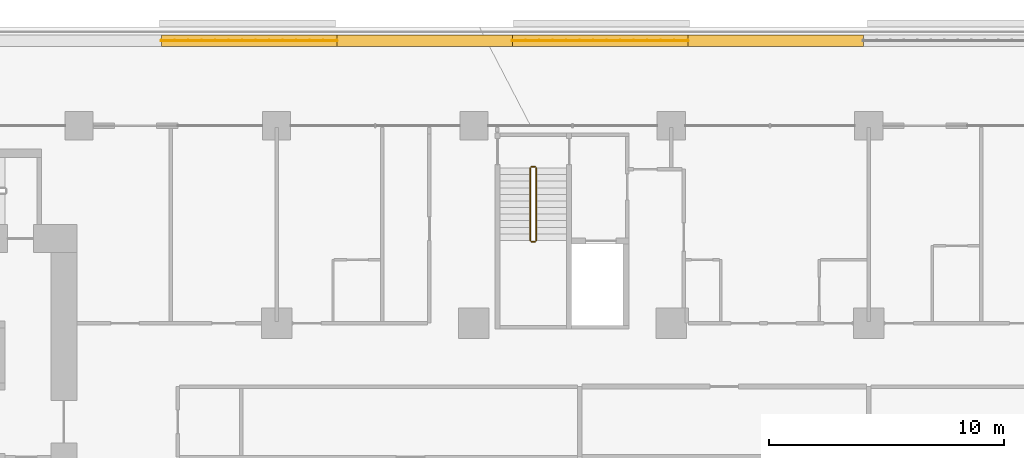
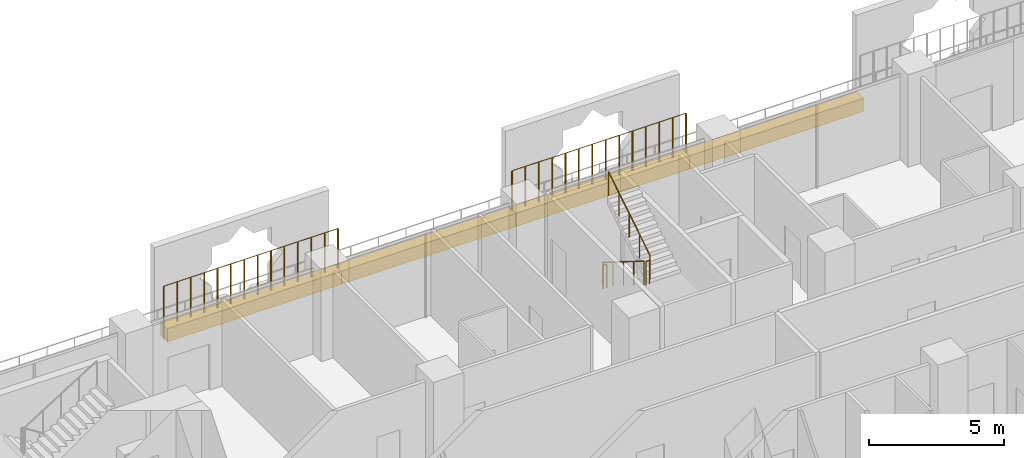
# One storey, part 27 of 28: 6 railings, 4 coverings.
"""IFC4 building model written with IfcOpenShell, lengths in metres."""

from ifc_helpers import new_model, si_unit, direction, frame, origin, origin_2d, place, context, subcontext, project, spatial, rectangle, circle, extrude, material, material_profile, profile_set, type_object, element, save


model = new_model("IFC4")

# Units and contexts
model_context = context("Model", 3, precision=1e-05, world=origin(), true_north=direction((0.0, 1.0)))
body_context = subcontext(model_context, "Body", "Model", "MODEL_VIEW")
ifc_project = project(units=[si_unit("LENGTHUNIT", "METRE"), si_unit("AREAUNIT", "SQUARE_METRE"), si_unit("VOLUMEUNIT", "CUBIC_METRE"), si_unit("PLANEANGLEUNIT", "RADIAN"), si_unit("MASSUNIT", "GRAM", prefix="KILO")], contexts=[model_context])

# Site, building, storey
site_placement = place(None, origin())
site = spatial("IfcSite", under=ifc_project, at=site_placement, CompositionType="ELEMENT")
building_placement = place(site_placement, origin())
building = spatial("IfcBuilding", under=site, at=building_placement, Name="Kawkab Arch Medical Tower", CompositionType="ELEMENT")
storey_placement = place(building_placement, frame((0.0, 0.0, 72.800048828125)))
storey = spatial("IfcBuildingStorey", under=building, at=storey_placement, Name="L16", CompositionType="ELEMENT", Elevation=72.800048828125)

# Coverings
ifc_material_1 = material(Name="Planting soil in a precast trough", Category="concrete")
ifc_material_profile = material_profile(ifc_material_1, rectangle(XDim=0.5, YDim=0.60009765625, at=origin_2d()), Name="Trough 500x600")
ifc_profile_set = profile_set([ifc_material_profile], Name="Planting soil in a precast trough")
covering_type = type_object("IfcCoveringType", Name="Planter trough 500 x 600", PredefinedType="USERDEFINED", material=ifc_profile_set)
for number, where, z_axis, x_axis, name in (
    (1, (28.695068359375, 3.6201171875, 0.300048828125), (1.0, 0.0, 0.0), (0.0, 1.0, 0.0), "Planter L16.LOG-01-01.23"),
    (2, (36.1650390625, 3.6201171875, 0.300048828125), (1.0, 0.0, 0.0), (0.0, 1.0, 0.0), "Planter L16.LOG-01-01.24"),
    (3, (43.635009765625, 3.6201171875, 0.300048828125), (1.0, 0.0, 0.0), (0.0, 1.0, 0.0), "Planter L16.LOG-01-01.25"),
):
    element("IfcCovering", number, at=place(storey_placement, frame(where, z_axis=z_axis, x_axis=x_axis)), inside=storey, type_object=covering_type, Name=name, ObjectType="PLANTER", PredefinedType="USERDEFINED", context=body_context, shape_type="SweptSolid", body=[
        extrude(rectangle(XDim=0.5, YDim=0.60009765625, at=origin_2d()), origin(), (0.0, 0.0, 1.0), 7.469970703125),
    ])
covering_placement = place(storey_placement, frame((51.10498046875, 3.6201171875, 0.300048828125), z_axis=(1.0, 0.0, 0.0), x_axis=(0.0, 1.0, 0.0)))
element("IfcCovering", 4, at=covering_placement, inside=storey, type_object=covering_type, Name="Planter L16.LOG-01-01.26", ObjectType="PLANTER", PredefinedType="USERDEFINED", context=body_context, shape_type="SweptSolid", body=[
    extrude(rectangle(XDim=0.5, YDim=0.60009765625, at=origin_2d()), origin(), (0.0, 0.0, 1.0), 7.470947265625),
])

# Railings
ifc_material_2 = material(Name="Bronze anodised aluminium trellis for climbing plants", Category="aluminium")
railing_type_1 = type_object("IfcRailingType", Name="Planting trellis 2400", PredefinedType="USERDEFINED", material=ifc_material_2)
railing_1_placement = place(storey_placement, frame((28.695068359375, 3.6201171875, 0.0)))
element("IfcRailing", 5, at=railing_1_placement, inside=storey, type_object=railing_type_1, Name="Planting trellis L16.LOG-01-01.23", ObjectType="TRELLIS", PredefinedType="USERDEFINED", context=body_context, shape_type="SweptSolid", body=[
    extrude(circle(Radius=0.01513671875, at=origin_2d()), frame((0.0, 0.0, 2.384765625), z_axis=(1.0, 0.0, 0.0), x_axis=(0.0, 1.0, 0.0)), (0.0, 0.0, 1.0), 7.469970703125),
    extrude(circle(Radius=0.030029296875, at=origin_2d()), origin(), (0.0, 0.0, 1.0), 2.369873046875),
    extrude(circle(Radius=0.030029296875, at=origin_2d()), frame((0.57470703125, 0.0, 0.0)), (0.0, 0.0, 1.0), 2.369873046875),
    extrude(circle(Radius=0.030029296875, at=origin_2d()), frame((1.149169921875, 0.0, 0.0)), (0.0, 0.0, 1.0), 2.369873046875),
    extrude(circle(Radius=0.030029296875, at=origin_2d()), frame((1.723876953125, 0.0, 0.0)), (0.0, 0.0, 1.0), 2.369873046875),
    extrude(circle(Radius=0.030029296875, at=origin_2d()), frame((2.29833984375, 0.0, 0.0)), (0.0, 0.0, 1.0), 2.369873046875),
    extrude(circle(Radius=0.030029296875, at=origin_2d()), frame((2.873046875, 0.0, 0.0)), (0.0, 0.0, 1.0), 2.369873046875),
    extrude(circle(Radius=0.030029296875, at=origin_2d()), frame((3.44775390625, 0.0, 0.0)), (0.0, 0.0, 1.0), 2.369873046875),
    extrude(circle(Radius=0.030029296875, at=origin_2d()), frame((4.022216796875, 0.0, 0.0)), (0.0, 0.0, 1.0), 2.369873046875),
    extrude(circle(Radius=0.030029296875, at=origin_2d()), frame((4.596923828125, 0.0, 0.0)), (0.0, 0.0, 1.0), 2.369873046875),
    extrude(circle(Radius=0.030029296875, at=origin_2d()), frame((5.171630859375, 0.0, 0.0)), (0.0, 0.0, 1.0), 2.369873046875),
    extrude(circle(Radius=0.030029296875, at=origin_2d()), frame((5.74609375, 0.0, 0.0)), (0.0, 0.0, 1.0), 2.369873046875),
    extrude(circle(Radius=0.030029296875, at=origin_2d()), frame((6.32080078125, 0.0, 0.0)), (0.0, 0.0, 1.0), 2.369873046875),
    extrude(circle(Radius=0.030029296875, at=origin_2d()), frame((6.895263671875, 0.0, 0.0)), (0.0, 0.0, 1.0), 2.369873046875),
    extrude(circle(Radius=0.030029296875, at=origin_2d()), frame((7.469970703125, 0.0, 0.0)), (0.0, 0.0, 1.0), 2.369873046875),
])
railing_2_placement = place(storey_placement, frame((43.635009765625, 3.6201171875, 0.0)))
element("IfcRailing", 6, at=railing_2_placement, inside=storey, type_object=railing_type_1, Name="Planting trellis L16.LOG-01-01.25", ObjectType="TRELLIS", PredefinedType="USERDEFINED", context=body_context, shape_type="SweptSolid", body=[
    extrude(circle(Radius=0.01513671875, at=origin_2d()), frame((0.0, 0.0, 2.384765625), z_axis=(1.0, 0.0, 0.0), x_axis=(0.0, 1.0, 0.0)), (0.0, 0.0, 1.0), 7.469970703125),
    extrude(circle(Radius=0.030029296875, at=origin_2d()), origin(), (0.0, 0.0, 1.0), 2.369873046875),
    extrude(circle(Radius=0.030029296875, at=origin_2d()), frame((0.57470703125, 0.0, 0.0)), (0.0, 0.0, 1.0), 2.369873046875),
    extrude(circle(Radius=0.030029296875, at=origin_2d()), frame((1.149169921875, 0.0, 0.0)), (0.0, 0.0, 1.0), 2.369873046875),
    extrude(circle(Radius=0.030029296875, at=origin_2d()), frame((1.723876953125, 0.0, 0.0)), (0.0, 0.0, 1.0), 2.369873046875),
    extrude(circle(Radius=0.030029296875, at=origin_2d()), frame((2.29833984375, 0.0, 0.0)), (0.0, 0.0, 1.0), 2.369873046875),
    extrude(circle(Radius=0.030029296875, at=origin_2d()), frame((2.873046875, 0.0, 0.0)), (0.0, 0.0, 1.0), 2.369873046875),
    extrude(circle(Radius=0.030029296875, at=origin_2d()), frame((3.44775390625, 0.0, 0.0)), (0.0, 0.0, 1.0), 2.369873046875),
    extrude(circle(Radius=0.030029296875, at=origin_2d()), frame((4.022216796875, 0.0, 0.0)), (0.0, 0.0, 1.0), 2.369873046875),
    extrude(circle(Radius=0.030029296875, at=origin_2d()), frame((4.596923828125, 0.0, 0.0)), (0.0, 0.0, 1.0), 2.369873046875),
    extrude(circle(Radius=0.030029296875, at=origin_2d()), frame((5.171630859375, 0.0, 0.0)), (0.0, 0.0, 1.0), 2.369873046875),
    extrude(circle(Radius=0.030029296875, at=origin_2d()), frame((5.74609375, 0.0, 0.0)), (0.0, 0.0, 1.0), 2.369873046875),
    extrude(circle(Radius=0.030029296875, at=origin_2d()), frame((6.32080078125, 0.0, 0.0)), (0.0, 0.0, 1.0), 2.369873046875),
    extrude(circle(Radius=0.030029296875, at=origin_2d()), frame((6.895263671875, 0.0, 0.0)), (0.0, 0.0, 1.0), 2.369873046875),
    extrude(circle(Radius=0.030029296875, at=origin_2d()), frame((7.469970703125, 0.0, 0.0)), (0.0, 0.0, 1.0), 2.369873046875),
])
ifc_material_3 = material(Name="Stainless steel", Category="steel")
railing_type_2 = type_object("IfcRailingType", Name="Stair guard 1100", PredefinedType="GUARDRAIL", material=ifc_material_3)
railing_3_placement = place(storey_placement, frame((44.39990234375, -1.800048828125, 0.175048828125)))
element("IfcRailing", 7, at=railing_3_placement, inside=storey, type_object=railing_type_2, Name="L16 ST5 stair guard 1", PredefinedType="GUARDRAIL", context=body_context, shape_type="SweptSolid", body=[
    extrude(circle(Radius=0.02392578125, at=origin_2d()), frame((0.0, 0.0, 1.076171875), z_axis=(0.0, -0.848009633417, 0.529980812513), x_axis=(1.0, 0.0, 0.0)), (0.0, 0.0, 1.0), 3.6318359375),
    extrude(circle(Radius=0.02099609375, at=origin_2d()), origin(), (0.0, 0.0, 1.0), 1.052001953125),
    extrude(circle(Radius=0.02099609375, at=origin_2d()), frame((0.0, -0.77001953125, 0.481201171875)), (0.0, 0.0, 1.0), 1.052001953125),
    extrude(circle(Radius=0.02099609375, at=origin_2d()), frame((0.0, -1.5400390625, 0.96240234375)), (0.0, 0.0, 1.0), 1.052001953125),
    extrude(circle(Radius=0.02099609375, at=origin_2d()), frame((0.0, -2.309814453125, 1.443603515625)), (0.0, 0.0, 1.0), 1.052001953125),
    extrude(circle(Radius=0.02099609375, at=origin_2d()), frame((0.0, -3.079833984375, 1.9248046875)), (0.0, 0.0, 1.0), 1.052001953125),
])
railing_4_placement = place(storey_placement, frame((44.449951171875, -4.929931640625, 2.099853515625)))
element("IfcRailing", 8, at=railing_4_placement, inside=storey, type_object=railing_type_2, Name="L16 ST5 stair guard 2", PredefinedType="GUARDRAIL", context=body_context, shape_type="SweptSolid", body=[
    extrude(circle(Radius=0.02392578125, at=origin_2d()), frame((0.0, 0.0, 1.076171875), z_axis=(1.0, 0.0, 0.0), x_axis=(0.0, 1.0, 0.0)), (0.0, 0.0, 1.0), 0.150146484375),
    extrude(circle(Radius=0.02099609375, at=origin_2d()), origin(), (0.0, 0.0, 1.0), 1.052001953125),
    extrude(circle(Radius=0.02099609375, at=origin_2d()), frame((0.150146484375, 0.0, 0.0)), (0.0, 0.0, 1.0), 1.052001953125),
])
railing_5_placement = place(storey_placement, frame((44.64990234375, -4.8798828125, 2.27490234375)))
element("IfcRailing", 9, at=railing_5_placement, inside=storey, type_object=railing_type_2, Name="L16 ST5 stair guard 3", PredefinedType="GUARDRAIL", context=body_context, shape_type="SweptSolid", body=[
    extrude(circle(Radius=0.02392578125, at=origin_2d()), frame((0.0, 0.0, 1.076171875), z_axis=(0.0, 0.847979421464, 0.530029150871), x_axis=(-1.0, 0.0, 0.0)), (0.0, 0.0, 1.0), 3.632080078125),
    extrude(circle(Radius=0.02099609375, at=origin_2d()), origin(), (0.0, 0.0, 1.0), 1.052001953125),
    extrude(circle(Radius=0.02099609375, at=origin_2d()), frame((0.0, 0.77001953125, 0.481201171875)), (0.0, 0.0, 1.0), 1.052001953125),
    extrude(circle(Radius=0.02099609375, at=origin_2d()), frame((0.0, 1.5400390625, 0.96240234375)), (0.0, 0.0, 1.0), 1.052001953125),
    extrude(circle(Radius=0.02099609375, at=origin_2d()), frame((0.0, 2.309814453125, 1.44384765625)), (0.0, 0.0, 1.0), 1.052001953125),
    extrude(circle(Radius=0.02099609375, at=origin_2d()), frame((0.0, 3.079833984375, 1.925048828125)), (0.0, 0.0, 1.0), 1.052001953125),
])
railing_6_placement = place(storey_placement, frame((44.449951171875, -1.75, 0.0)))
element("IfcRailing", 10, at=railing_6_placement, inside=storey, type_object=railing_type_2, Name="L16 ST5 stair guard 4", PredefinedType="GUARDRAIL", context=body_context, shape_type="SweptSolid", body=[
    extrude(circle(Radius=0.02392578125, at=origin_2d()), frame((0.0, 0.0, 1.076171875), z_axis=(1.0, 0.0, 0.0), x_axis=(0.0, 1.0, 0.0)), (0.0, 0.0, 1.0), 0.150146484375),
    extrude(circle(Radius=0.02099609375, at=origin_2d()), origin(), (0.0, 0.0, 1.0), 1.052001953125),
    extrude(circle(Radius=0.02099609375, at=origin_2d()), frame((0.150146484375, 0.0, 0.0)), (0.0, 0.0, 1.0), 1.052001953125),
])

save(model, "model.ifc")
